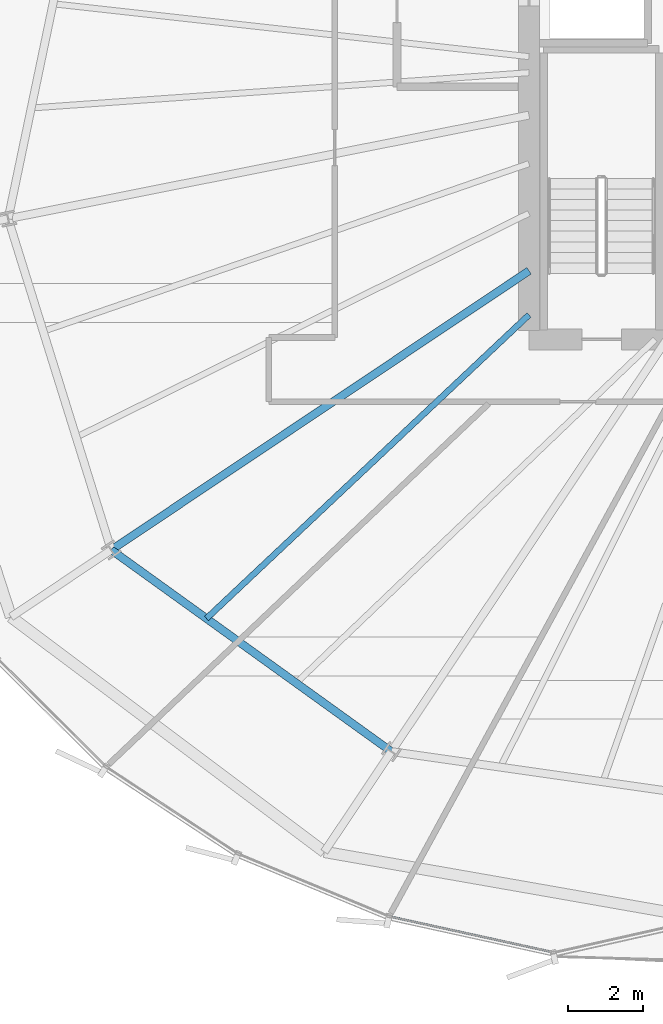
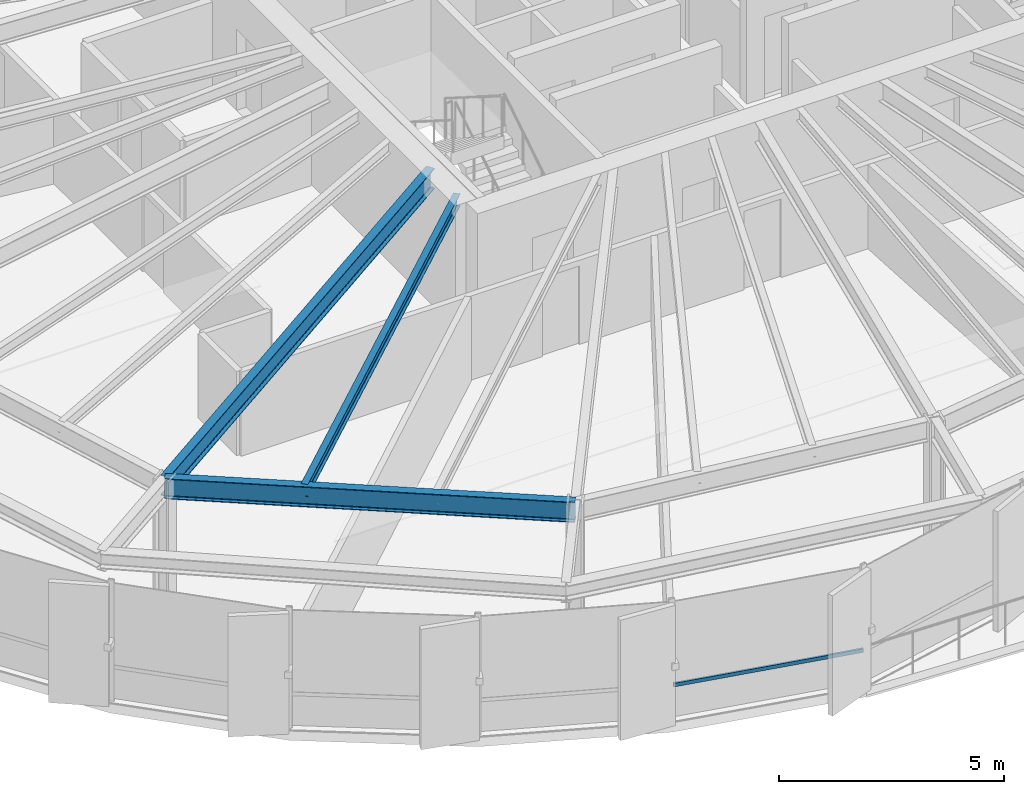
# One storey, part 4 of 36: 3 beams, 1 member, 1 element without a shape of its own.
"""IFC4 building model written with IfcOpenShell, lengths in metres."""

import ifcopenshell
import ifcopenshell.guid

model = None  # the IFC model being written
_history = None  # IfcOwnerHistory: only IFC2X3 demands one
_inside = {}  # id of a spatial element -> (the spatial element, [elements in it])
_under = {}  # id of a project, library or spatial element -> (it, [spatial elements below it])
_declared = {}  # id of a project -> (the project, [libraries it declares])
_typed = {}  # id of a type object -> (the type object, [elements of that type])
_made_of = {}  # id of a material, layer set ... -> (it, [elements and type objects made of it])


def new_model(schema):
    """Start an empty IFC model of exactly this schema.

    Asked for "IFC4X3", IfcOpenShell would pick the latest addendum, in which some entities
    have other attributes; the version numbers below select the first issue.
    IFC2X3 requires an IfcOwnerHistory on every rooted entity: one is made here for all.
    """
    global model, _history
    if schema == "IFC4X3":
        model = ifcopenshell.file(schema_version=(4, 3, 0, 0))
    else:
        model = ifcopenshell.file(schema=schema)
    _inside.clear()
    _under.clear()
    _declared.clear()
    _typed.clear()
    _made_of.clear()
    _history = None
    if model.schema == "IFC2X3":
        org = make("IfcOrganization", Name="unknown")
        user = make(
            "IfcPersonAndOrganization",
            ThePerson=make("IfcPerson", FamilyName="unknown"),
            TheOrganization=org,
        )
        app = make(
            "IfcApplication",
            ApplicationDeveloper=org,
            Version="unknown",
            ApplicationFullName="unknown",
            ApplicationIdentifier="unknown",
        )
        _history = make(
            "IfcOwnerHistory",
            OwningUser=user,
            OwningApplication=app,
            ChangeAction="ADDED",
            CreationDate=0,
        )
    return model


def make(cls, **values):
    """One entity of the class cls with the attributes given. An attribute that is None is left unset."""
    return model.create_entity(
        cls, **{name: value for name, value in values.items() if value is not None}
    )


def rooted(cls, **values):
    """An entity with a GlobalId (a new one), such as an element, a storey or a relation."""
    return make(cls, GlobalId=ifcopenshell.guid.new(), OwnerHistory=_history, **values)


def si_unit(unit_type, name, prefix=None):
    """IfcSIUnit, for example si_unit("LENGTHUNIT", "METRE", prefix="MILLI")."""
    return make("IfcSIUnit", UnitType=unit_type, Prefix=prefix, Name=name)


def assignment(units):
    """IfcUnitAssignment: the units of a project."""
    return None if units is None else make("IfcUnitAssignment", Units=units)


def point(xyz):
    """IfcCartesianPoint."""
    return None if xyz is None else make("IfcCartesianPoint", Coordinates=xyz)


def direction(xyz):
    """IfcDirection."""
    return None if xyz is None else make("IfcDirection", DirectionRatios=xyz)


def frame(location, z_axis=None, x_axis=None):
    """IfcAxis2Placement3D, a coordinate frame: its origin and axes. An axis left out is left unset."""
    return make(
        "IfcAxis2Placement3D",
        Location=point(location),
        Axis=direction(z_axis),
        RefDirection=direction(x_axis),
    )


def frame_2d(location, x_axis=None):
    """IfcAxis2Placement2D, a coordinate frame in the plane: its origin and x axis."""
    return make(
        "IfcAxis2Placement2D", Location=point(location), RefDirection=direction(x_axis)
    )


def origin():
    """The frame at (0, 0, 0) with its axes left unset."""
    return frame((0.0, 0.0, 0.0))


def origin_2d():
    """The frame at (0, 0) in the plane with its x axis left unset."""
    return frame_2d((0.0, 0.0))


def place(relative_to, where):
    """IfcLocalPlacement: puts the frame where relative to a parent placement (None: the world)."""
    return make(
        "IfcLocalPlacement", PlacementRelTo=relative_to, RelativePlacement=where
    )


def context(
    kind, dimensions, precision=None, world=None, true_north=None, identifier=None
):
    """IfcGeometricRepresentationContext, for example the 3D "Model" context."""
    return make(
        "IfcGeometricRepresentationContext",
        ContextIdentifier=identifier,
        ContextType=kind,
        CoordinateSpaceDimension=dimensions,
        Precision=precision,
        WorldCoordinateSystem=world,
        TrueNorth=true_north,
    )


def subcontext(parent, identifier, kind, view, scale=None):
    """IfcGeometricRepresentationSubContext, for example "Body" below "Model"."""
    return make(
        "IfcGeometricRepresentationSubContext",
        ContextIdentifier=identifier,
        ContextType=kind,
        ParentContext=parent,
        TargetScale=scale,
        TargetView=view,
    )


def project(units=None, contexts=None):
    """IfcProject with its units and contexts."""
    return rooted(
        "IfcProject",
        Name="project",
        RepresentationContexts=contexts,
        UnitsInContext=assignment(units),
    )


def spatial(cls, under=None, at=None, **own):
    """A site, building, storey or space (cls), placed at a placement, below another one or the project."""
    s = rooted(cls, ObjectPlacement=at, **own)
    if under is not None:
        _under.setdefault(under.id(), (under, []))[1].append(s)
    return s


def profile(cls, at=None, kind="AREA", **sizes):
    """A parametric profile (cls). Its sizes go by their IFC names, for example OverallWidth=200.0."""
    return make(cls, ProfileType=kind, Position=at, **sizes)


def hollow_rectangle(**sizes):
    """IfcRectangleHollowProfileDef."""
    return profile("IfcRectangleHollowProfileDef", **sizes)


def i_section(**sizes):
    """IfcIShapeProfileDef."""
    return profile("IfcIShapeProfileDef", **sizes)


def extrude(swept, where, along, depth):
    """IfcExtrudedAreaSolid: the profile swept, set in the frame where, extruded along a direction by depth."""
    return make(
        "IfcExtrudedAreaSolid",
        SweptArea=swept,
        Position=where,
        ExtrudedDirection=direction(along),
        Depth=depth,
    )


def shape(context_of_items, identifier, shape_type, items):
    """IfcShapeRepresentation: the items that make up one representation, for example the "Body"."""
    return make(
        "IfcShapeRepresentation",
        ContextOfItems=context_of_items,
        RepresentationIdentifier=identifier,
        RepresentationType=shape_type,
        Items=items,
    )


def source(mapping_origin, context_of_items, identifier, shape_type, items):
    """IfcRepresentationMap: a shape defined once, which mapped items show again and again."""
    return make(
        "IfcRepresentationMap",
        MappingOrigin=mapping_origin,
        MappedRepresentation=shape(context_of_items, identifier, shape_type, items),
    )


def transform(
    local_origin,
    x_axis=None,
    y_axis=None,
    z_axis=None,
    scale=None,
    scale2=None,
    scale3=None,
    uniform=True,
):
    """IfcCartesianTransformationOperator3D, or its non-uniform kind. x_axis, y_axis, z_axis: its Axis1, 2, 3."""
    if uniform:
        return make(
            "IfcCartesianTransformationOperator3D",
            Axis1=direction(x_axis),
            Axis2=direction(y_axis),
            LocalOrigin=point(local_origin),
            Scale=scale,
            Axis3=direction(z_axis),
        )
    return make(
        "IfcCartesianTransformationOperator3DnonUniform",
        Axis1=direction(x_axis),
        Axis2=direction(y_axis),
        LocalOrigin=point(local_origin),
        Scale=scale,
        Axis3=direction(z_axis),
        Scale2=scale2,
        Scale3=scale3,
    )


def mapped(mapping_source, mapping_target):
    """IfcMappedItem: shows the shape of a source again, moved by a transform."""
    return make(
        "IfcMappedItem", MappingSource=mapping_source, MappingTarget=mapping_target
    )


def material(Name=None, Category=None):
    """IfcMaterial."""
    return make("IfcMaterial", Name=Name, Category=Category)


def layer(
    of_material, thickness, ventilated=None, Name=None, Category=None, Priority=None
):
    """IfcMaterialLayer: one layer of a wall or slab, of a material (None: an air gap)."""
    return make(
        "IfcMaterialLayer",
        Material=of_material,
        LayerThickness=thickness,
        IsVentilated=ventilated,
        Name=Name,
        Category=Category,
        Priority=Priority,
    )


def layer_set(layers, Name=None):
    """IfcMaterialLayerSet."""
    return make("IfcMaterialLayerSet", MaterialLayers=layers, LayerSetName=Name)


def material_profile(
    of_material, cross_section, Name=None, Category=None, Priority=None
):
    """IfcMaterialProfile: a cross section and its material."""
    return make(
        "IfcMaterialProfile",
        Name=Name,
        Material=of_material,
        Profile=cross_section,
        Priority=Priority,
        Category=Category,
    )


def profile_set(profiles, Name=None, composite=None):
    """IfcMaterialProfileSet."""
    return make(
        "IfcMaterialProfileSet",
        Name=Name,
        MaterialProfiles=profiles,
        CompositeProfile=composite,
    )


def made_of(thing, what):
    """Note that an element or type object is made of a material, layer set ...; save() writes the relation."""
    if what is not None:
        _made_of.setdefault(what.id(), (what, []))[1].append(thing)
    return thing


def type_object(cls, material=None, **own):
    """A type object (cls), such as IfcWallType, which elements share."""
    return made_of(rooted(cls, **own), material)


def element(
    cls,
    number,
    at=None,
    inside=None,
    cuts=None,
    type_object=None,
    material=None,
    context=None,
    identifier="Body",
    shape_type=None,
    held_by="IfcProductDefinitionShape",
    body=None,
    shapes=None,
    **own,
):
    """One element of the class cls, such as IfcWall. Its Tag is "e" and its number.

    at: its placement. inside: the storey or other place that contains it. cuts: it is an
    opening in that element (IfcRelVoidsElement). A single representation is given by context,
    identifier, shape_type and body (its items); several are given by shapes. held_by: the class
    of the entity that holds the representations. save() writes the other relations.
    """
    e = rooted(cls, Tag="e%d" % number, ObjectPlacement=at, **own)
    if body is not None:
        shapes = [shape(context, identifier, shape_type, body)]
    if shapes is not None:
        e.Representation = make(held_by, Representations=shapes)
    if inside is not None:
        _inside.setdefault(inside.id(), (inside, []))[1].append(e)
    if cuts is not None:
        rooted(
            "IfcRelVoidsElement", RelatingBuildingElement=cuts, RelatedOpeningElement=e
        )
    if type_object is not None:
        _typed.setdefault(type_object.id(), (type_object, []))[1].append(e)
    return made_of(e, material)


def aggregate(whole, parts):
    """IfcRelAggregates: a whole, such as a stair, and the parts it consists of."""
    return rooted("IfcRelAggregates", RelatingObject=whole, RelatedObjects=parts)


def save(model, path):
    """Write the relations noted so far, then the file.

    IfcRelAggregates (storeys below a building ...), IfcRelContainedInSpatialStructure (elements
    in a storey), IfcRelDefinesByType, IfcRelAssociatesMaterial and IfcRelDeclares: one each for
    every whole, place, type object, material and project.
    """
    for whole, parts in _under.values():
        aggregate(whole, parts)
    for where, things in _inside.values():
        rooted(
            "IfcRelContainedInSpatialStructure",
            RelatedElements=things,
            RelatingStructure=where,
        )
    for kind, things in _typed.values():
        rooted("IfcRelDefinesByType", RelatedObjects=things, RelatingType=kind)
    for what, things in _made_of.values():
        rooted("IfcRelAssociatesMaterial", RelatedObjects=things, RelatingMaterial=what)
    for by, libraries in _declared.values():
        rooted("IfcRelDeclares", RelatingContext=by, RelatedDefinitions=libraries)
    model.write(path)


model = new_model("IFC4")

# Units and contexts
model_context = context("Model", 3, precision=1e-05, world=origin(), true_north=direction((0.0, 1.0)))
body_context = subcontext(model_context, "Body", "Model", "MODEL_VIEW")
ifc_project = project(units=[si_unit("LENGTHUNIT", "METRE"), si_unit("AREAUNIT", "SQUARE_METRE"), si_unit("VOLUMEUNIT", "CUBIC_METRE"), si_unit("PLANEANGLEUNIT", "RADIAN"), si_unit("MASSUNIT", "GRAM", prefix="KILO"), si_unit("THERMODYNAMICTEMPERATUREUNIT", "KELVIN")], contexts=[model_context])

# Site, building, storey
site_placement = place(None, origin())
site = spatial("IfcSite", under=ifc_project, at=site_placement, CompositionType="ELEMENT")
building_placement = place(site_placement, origin())
building = spatial("IfcBuilding", under=site, at=building_placement, Name="Kethvar Cultural Tower", CompositionType="ELEMENT")
storey_placement = place(building_placement, frame((0.0, 0.0, 143.0)))
storey = spatial("IfcBuildingStorey", under=building, at=storey_placement, Name="L36", CompositionType="ELEMENT", Elevation=143.0)

# Beams
ifc_material_1 = material(Name="Steel S355J2", Category="steel")
ifc_material_profile_1 = material_profile(ifc_material_1, i_section(OverallWidth=0.2099609375, OverallDepth=0.550048828125, WebThickness=0.010986328125, FlangeThickness=0.01708984375, FilletRadius=0.02392578125, at=origin_2d()), Name="Steel S355J2 — IPE550")
ifc_profile_set_1 = profile_set([ifc_material_profile_1], Name="Steel S355J2 — IPE550")
beam_type_1 = type_object("IfcBeamType", Name="BM-IPE550", PredefinedType="BEAM", material=ifc_profile_set_1)
shared_shape_1 = source(origin(), body_context, "Body", "SweptSolid", [
    extrude(i_section(OverallWidth=0.2099609375, OverallDepth=0.550048828125, WebThickness=0.010986328125, FlangeThickness=0.01708984375, FilletRadius=0.02392578125, at=origin_2d()), origin(), (0.0, 0.0, 1.0), 13.324951171875),
])
beam_1_placement = place(storey_placement, frame((38.0, 21.919921875, 3.02294921875), z_axis=(-0.831474815475, -0.555562445843, 0.0), x_axis=(0.555562445843, -0.831474815475, 0.0)))
element("IfcBeam", 1, at=beam_1_placement, inside=storey, type_object=beam_type_1, Name="L36 Primary Radial Beam RB-10", PredefinedType="BEAM", context=body_context, shape_type="MappedRepresentation", body=[
    mapped(shared_shape_1, transform((0.0, 0.0, 0.0), scale=1.0)),
])
shared_shape_2 = source(origin(), body_context, "Body", "SweptSolid", [
    extrude(i_section(OverallWidth=0.2099609375, OverallDepth=0.550048828125, WebThickness=0.010986328125, FlangeThickness=0.01708984375, FilletRadius=0.02392578125, at=origin_2d()), origin(), (0.0, 0.0, 1.0), 9.155029296875),
])
beam_2_placement = place(storey_placement, frame((26.920654296875, 14.51708984375, 3.02294921875), z_axis=(0.811590987974, -0.584226042076, 0.0), x_axis=(0.584226042076, 0.811590987974, 0.0)))
element("IfcBeam", 2, at=beam_2_placement, inside=storey, type_object=beam_type_1, Name="L36 Column Ring Tie Beam CR-10", PredefinedType="BEAM", context=body_context, shape_type="MappedRepresentation", body=[
    mapped(shared_shape_2, transform((0.0, 0.0, 0.0), scale=1.0)),
])
ifc_material_profile_2 = material_profile(ifc_material_1, i_section(OverallWidth=0.159912109375, OverallDepth=0.330078125, WebThickness=0.007568359375, FlangeThickness=0.011474609375, FilletRadius=0.01806640625, at=origin_2d()), Name="Steel S355J2 — IPE330")
ifc_profile_set_2 = profile_set([ifc_material_profile_2], Name="Steel S355J2 — IPE330")
beam_type_2 = type_object("IfcBeamType", Name="BM-J330", PredefinedType="JOIST", material=ifc_profile_set_2)
shared_shape_3 = source(origin(), body_context, "Body", "SweptSolid", [
    extrude(i_section(OverallWidth=0.159912109375, OverallDepth=0.330078125, WebThickness=0.007568359375, FlangeThickness=0.011474609375, FilletRadius=0.01806640625, at=origin_2d()), origin(), (0.0, 0.0, 1.0), 11.74658203125),
])
beam_3_placement = place(storey_placement, frame((38.0, 20.75, 3.133056640625), z_axis=(-0.728129818661, -0.685439251266, 0.0), x_axis=(0.685439251266, -0.728129818661, 0.0)))
element("IfcBeam", 3, at=beam_3_placement, inside=storey, type_object=beam_type_2, Name="L36 Composite Floor Joist J-10A", PredefinedType="JOIST", context=body_context, shape_type="MappedRepresentation", body=[
    mapped(shared_shape_3, transform((0.0, 0.0, 0.0), scale=1.0)),
])

# Curtain wall, member
ifc_material_2 = material(Name="Aluminium 6063-T6", Category="aluminium")
ifc_layer = layer(ifc_material_2, 0.179931640625, Name="Aluminium 6063-T6", Category="aluminium")
ifc_layer_set = layer_set([ifc_layer], Name="Aluminium 6063-T6 (180 mm)")
curtain_wall_type = type_object("IfcCurtainWallType", Name="CW-SYS-04-Z34", PredefinedType="NOTDEFINED", material=ifc_layer_set)
curtain_wall_placement = place(storey_placement, origin())
curtain_wall = element("IfcCurtainWall", 4, at=curtain_wall_placement, inside=storey, type_object=curtain_wall_type, Name="L36 Curtain Wall Run 04", PredefinedType="NOTDEFINED")
ifc_material_profile_3 = material_profile(ifc_material_2, hollow_rectangle(XDim=0.050048828125, YDim=0.10009765625, WallThickness=0.00390625, at=origin_2d()), Name="Aluminium 6063-T6 — RHS100x50x4")
ifc_profile_set_3 = profile_set([ifc_material_profile_3], Name="Aluminium 6063-T6 — RHS100x50x4")
member_type = type_object("IfcMemberType", Name="CW-SYS-04-Z34-TRN", PredefinedType="USERDEFINED", material=ifc_profile_set_3)
shared_shape_4 = source(origin(), body_context, "Body", "SweptSolid", [
    extrude(hollow_rectangle(XDim=0.050048828125, YDim=0.10009765625, WallThickness=0.00390625, at=origin_2d()), origin(), (0.0, 0.0, 1.0), 4.419921875),
])
member_placement = place(storey_placement, frame((34.330810546875, 4.789306640625, 0.949951171875), z_axis=(0.976886322463, -0.213759474609, 0.0), x_axis=(0.213759474609, 0.976886322463, 0.0)))
member = element("IfcMember", 5, at=member_placement, type_object=member_type, Name="CW-L36-R04 Transom 5", ObjectType="TRANSOM", PredefinedType="USERDEFINED", context=body_context, shape_type="MappedRepresentation", body=[
    mapped(shared_shape_4, transform((0.0, 0.0, 0.0), scale=1.0)),
])
aggregate(curtain_wall, [member])

save(model, "model.ifc")
